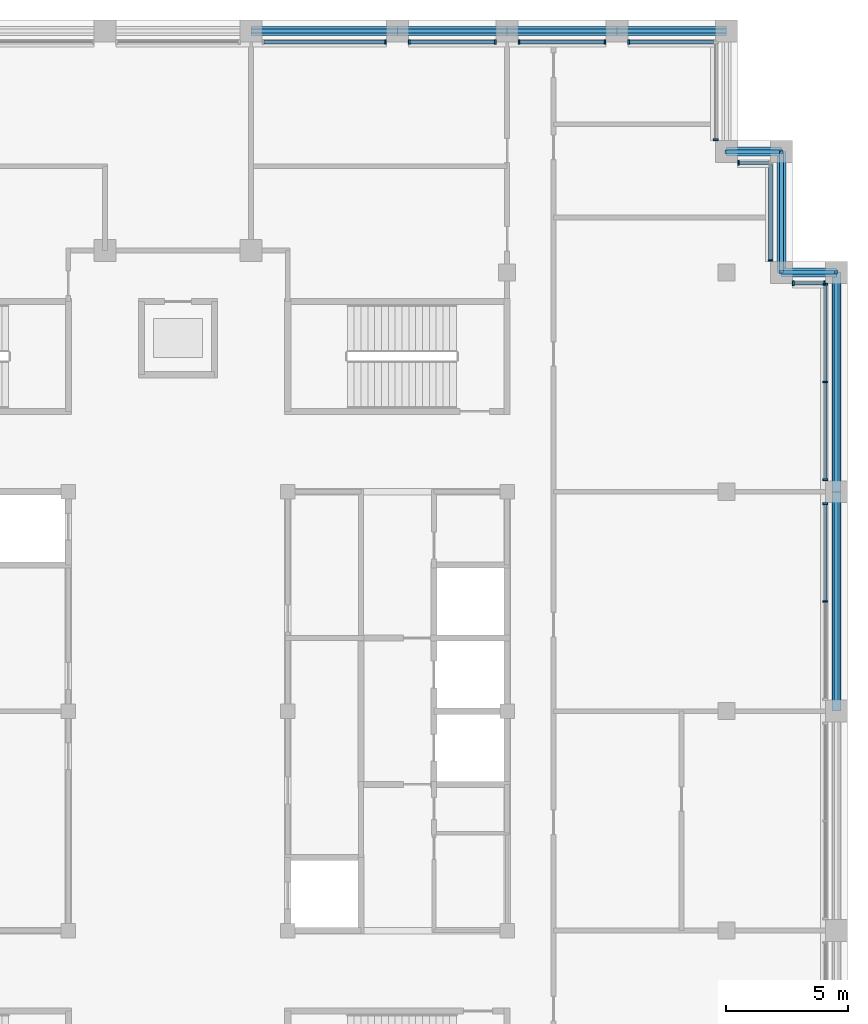
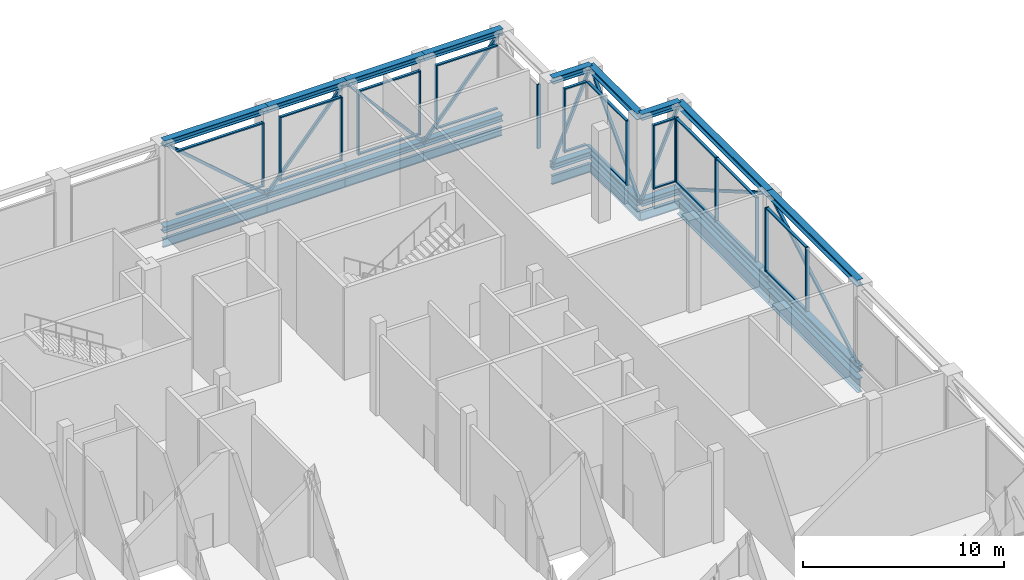
# One storey, part 8 of 17: 63 members, 9 beams, 10 elements without a shape of their own.
"""IFC4 building model written with IfcOpenShell, lengths in metres."""

import ifcopenshell
import ifcopenshell.guid

model = None  # the IFC model being written
_history = None  # IfcOwnerHistory: only IFC2X3 demands one
_inside = {}  # id of a spatial element -> (the spatial element, [elements in it])
_under = {}  # id of a project, library or spatial element -> (it, [spatial elements below it])
_declared = {}  # id of a project -> (the project, [libraries it declares])
_typed = {}  # id of a type object -> (the type object, [elements of that type])
_made_of = {}  # id of a material, layer set ... -> (it, [elements and type objects made of it])


def new_model(schema):
    """Start an empty IFC model of exactly this schema.

    Asked for "IFC4X3", IfcOpenShell would pick the latest addendum, in which some entities
    have other attributes; the version numbers below select the first issue.
    IFC2X3 requires an IfcOwnerHistory on every rooted entity: one is made here for all.
    """
    global model, _history
    if schema == "IFC4X3":
        model = ifcopenshell.file(schema_version=(4, 3, 0, 0))
    else:
        model = ifcopenshell.file(schema=schema)
    _inside.clear()
    _under.clear()
    _declared.clear()
    _typed.clear()
    _made_of.clear()
    _history = None
    if model.schema == "IFC2X3":
        org = make("IfcOrganization", Name="unknown")
        user = make(
            "IfcPersonAndOrganization",
            ThePerson=make("IfcPerson", FamilyName="unknown"),
            TheOrganization=org,
        )
        app = make(
            "IfcApplication",
            ApplicationDeveloper=org,
            Version="unknown",
            ApplicationFullName="unknown",
            ApplicationIdentifier="unknown",
        )
        _history = make(
            "IfcOwnerHistory",
            OwningUser=user,
            OwningApplication=app,
            ChangeAction="ADDED",
            CreationDate=0,
        )
    return model


def make(cls, **values):
    """One entity of the class cls with the attributes given. An attribute that is None is left unset."""
    return model.create_entity(
        cls, **{name: value for name, value in values.items() if value is not None}
    )


def rooted(cls, **values):
    """An entity with a GlobalId (a new one), such as an element, a storey or a relation."""
    return make(cls, GlobalId=ifcopenshell.guid.new(), OwnerHistory=_history, **values)


def si_unit(unit_type, name, prefix=None):
    """IfcSIUnit, for example si_unit("LENGTHUNIT", "METRE", prefix="MILLI")."""
    return make("IfcSIUnit", UnitType=unit_type, Prefix=prefix, Name=name)


def assignment(units):
    """IfcUnitAssignment: the units of a project."""
    return None if units is None else make("IfcUnitAssignment", Units=units)


def point(xyz):
    """IfcCartesianPoint."""
    return None if xyz is None else make("IfcCartesianPoint", Coordinates=xyz)


def direction(xyz):
    """IfcDirection."""
    return None if xyz is None else make("IfcDirection", DirectionRatios=xyz)


def frame(location, z_axis=None, x_axis=None):
    """IfcAxis2Placement3D, a coordinate frame: its origin and axes. An axis left out is left unset."""
    return make(
        "IfcAxis2Placement3D",
        Location=point(location),
        Axis=direction(z_axis),
        RefDirection=direction(x_axis),
    )


def frame_2d(location, x_axis=None):
    """IfcAxis2Placement2D, a coordinate frame in the plane: its origin and x axis."""
    return make(
        "IfcAxis2Placement2D", Location=point(location), RefDirection=direction(x_axis)
    )


def origin():
    """The frame at (0, 0, 0) with its axes left unset."""
    return frame((0.0, 0.0, 0.0))


def origin_2d():
    """The frame at (0, 0) in the plane with its x axis left unset."""
    return frame_2d((0.0, 0.0))


def place(relative_to, where):
    """IfcLocalPlacement: puts the frame where relative to a parent placement (None: the world)."""
    return make(
        "IfcLocalPlacement", PlacementRelTo=relative_to, RelativePlacement=where
    )


def context(
    kind, dimensions, precision=None, world=None, true_north=None, identifier=None
):
    """IfcGeometricRepresentationContext, for example the 3D "Model" context."""
    return make(
        "IfcGeometricRepresentationContext",
        ContextIdentifier=identifier,
        ContextType=kind,
        CoordinateSpaceDimension=dimensions,
        Precision=precision,
        WorldCoordinateSystem=world,
        TrueNorth=true_north,
    )


def subcontext(parent, identifier, kind, view, scale=None):
    """IfcGeometricRepresentationSubContext, for example "Body" below "Model"."""
    return make(
        "IfcGeometricRepresentationSubContext",
        ContextIdentifier=identifier,
        ContextType=kind,
        ParentContext=parent,
        TargetScale=scale,
        TargetView=view,
    )


def project(units=None, contexts=None):
    """IfcProject with its units and contexts."""
    return rooted(
        "IfcProject",
        Name="project",
        RepresentationContexts=contexts,
        UnitsInContext=assignment(units),
    )


def spatial(cls, under=None, at=None, **own):
    """A site, building, storey or space (cls), placed at a placement, below another one or the project."""
    s = rooted(cls, ObjectPlacement=at, **own)
    if under is not None:
        _under.setdefault(under.id(), (under, []))[1].append(s)
    return s


def profile(cls, at=None, kind="AREA", **sizes):
    """A parametric profile (cls). Its sizes go by their IFC names, for example OverallWidth=200.0."""
    return make(cls, ProfileType=kind, Position=at, **sizes)


def rectangle(**sizes):
    """IfcRectangleProfileDef."""
    return profile("IfcRectangleProfileDef", **sizes)


def hollow_rectangle(**sizes):
    """IfcRectangleHollowProfileDef."""
    return profile("IfcRectangleHollowProfileDef", **sizes)


def i_section(**sizes):
    """IfcIShapeProfileDef."""
    return profile("IfcIShapeProfileDef", **sizes)


def extrude(swept, where, along, depth):
    """IfcExtrudedAreaSolid: the profile swept, set in the frame where, extruded along a direction by depth."""
    return make(
        "IfcExtrudedAreaSolid",
        SweptArea=swept,
        Position=where,
        ExtrudedDirection=direction(along),
        Depth=depth,
    )


def shape(context_of_items, identifier, shape_type, items):
    """IfcShapeRepresentation: the items that make up one representation, for example the "Body"."""
    return make(
        "IfcShapeRepresentation",
        ContextOfItems=context_of_items,
        RepresentationIdentifier=identifier,
        RepresentationType=shape_type,
        Items=items,
    )


def material(Name=None, Category=None):
    """IfcMaterial."""
    return make("IfcMaterial", Name=Name, Category=Category)


def layer(
    of_material, thickness, ventilated=None, Name=None, Category=None, Priority=None
):
    """IfcMaterialLayer: one layer of a wall or slab, of a material (None: an air gap)."""
    return make(
        "IfcMaterialLayer",
        Material=of_material,
        LayerThickness=thickness,
        IsVentilated=ventilated,
        Name=Name,
        Category=Category,
        Priority=Priority,
    )


def layer_set(layers, Name=None):
    """IfcMaterialLayerSet."""
    return make("IfcMaterialLayerSet", MaterialLayers=layers, LayerSetName=Name)


def material_profile(
    of_material, cross_section, Name=None, Category=None, Priority=None
):
    """IfcMaterialProfile: a cross section and its material."""
    return make(
        "IfcMaterialProfile",
        Name=Name,
        Material=of_material,
        Profile=cross_section,
        Priority=Priority,
        Category=Category,
    )


def profile_set(profiles, Name=None, composite=None):
    """IfcMaterialProfileSet."""
    return make(
        "IfcMaterialProfileSet",
        Name=Name,
        MaterialProfiles=profiles,
        CompositeProfile=composite,
    )


def made_of(thing, what):
    """Note that an element or type object is made of a material, layer set ...; save() writes the relation."""
    if what is not None:
        _made_of.setdefault(what.id(), (what, []))[1].append(thing)
    return thing


def type_object(cls, material=None, **own):
    """A type object (cls), such as IfcWallType, which elements share."""
    return made_of(rooted(cls, **own), material)


def element(
    cls,
    number,
    at=None,
    inside=None,
    cuts=None,
    type_object=None,
    material=None,
    context=None,
    identifier="Body",
    shape_type=None,
    held_by="IfcProductDefinitionShape",
    body=None,
    shapes=None,
    **own,
):
    """One element of the class cls, such as IfcWall. Its Tag is "e" and its number.

    at: its placement. inside: the storey or other place that contains it. cuts: it is an
    opening in that element (IfcRelVoidsElement). A single representation is given by context,
    identifier, shape_type and body (its items); several are given by shapes. held_by: the class
    of the entity that holds the representations. save() writes the other relations.
    """
    e = rooted(cls, Tag="e%d" % number, ObjectPlacement=at, **own)
    if body is not None:
        shapes = [shape(context, identifier, shape_type, body)]
    if shapes is not None:
        e.Representation = make(held_by, Representations=shapes)
    if inside is not None:
        _inside.setdefault(inside.id(), (inside, []))[1].append(e)
    if cuts is not None:
        rooted(
            "IfcRelVoidsElement", RelatingBuildingElement=cuts, RelatedOpeningElement=e
        )
    if type_object is not None:
        _typed.setdefault(type_object.id(), (type_object, []))[1].append(e)
    return made_of(e, material)


def aggregate(whole, parts):
    """IfcRelAggregates: a whole, such as a stair, and the parts it consists of."""
    return rooted("IfcRelAggregates", RelatingObject=whole, RelatedObjects=parts)


def save(model, path):
    """Write the relations noted so far, then the file.

    IfcRelAggregates (storeys below a building ...), IfcRelContainedInSpatialStructure (elements
    in a storey), IfcRelDefinesByType, IfcRelAssociatesMaterial and IfcRelDeclares: one each for
    every whole, place, type object, material and project.
    """
    for whole, parts in _under.values():
        aggregate(whole, parts)
    for where, things in _inside.values():
        rooted(
            "IfcRelContainedInSpatialStructure",
            RelatedElements=things,
            RelatingStructure=where,
        )
    for kind, things in _typed.values():
        rooted("IfcRelDefinesByType", RelatedObjects=things, RelatingType=kind)
    for what, things in _made_of.values():
        rooted("IfcRelAssociatesMaterial", RelatedObjects=things, RelatingMaterial=what)
    for by, libraries in _declared.values():
        rooted("IfcRelDeclares", RelatingContext=by, RelatedDefinitions=libraries)
    model.write(path)


model = new_model("IFC4")

# Units and contexts
model_context = context("Model", 3, precision=1e-05, world=origin(), true_north=direction((0.0, 1.0)))
body_context = subcontext(model_context, "Body", "Model", "MODEL_VIEW")
ifc_project = project(units=[si_unit("LENGTHUNIT", "METRE"), si_unit("AREAUNIT", "SQUARE_METRE"), si_unit("VOLUMEUNIT", "CUBIC_METRE"), si_unit("PLANEANGLEUNIT", "RADIAN"), si_unit("MASSUNIT", "GRAM", prefix="KILO")], contexts=[model_context])

# Site, building, storey
site_placement = place(None, origin())
site = spatial("IfcSite", under=ifc_project, at=site_placement, CompositionType="ELEMENT")
building_placement = place(site_placement, origin())
building = spatial("IfcBuilding", under=site, at=building_placement, Name="Corbelhall Arena Tower", CompositionType="ELEMENT")
storey_placement = place(building_placement, frame((0.0, 0.0, 350.0)))
storey = spatial("IfcBuildingStorey", under=building, at=storey_placement, Name="L77", CompositionType="ELEMENT", Elevation=350.0)

# Curtain wall, members
ifc_material_1 = material(Name="Aluminium black anodised", Category="aluminium")
ifc_layer = layer(ifc_material_1, 0.199951171875)
ifc_layer_set = layer_set([ifc_layer], Name="EV-CW5 Sky band glazing")
curtain_wall_type = type_object("IfcCurtainWallType", Name="EV-CW5 Sky band glazing", PredefinedType="NOTDEFINED", material=ifc_layer_set)
curtain_wall_1_placement = place(storey_placement, origin())
curtain_wall_1 = element("IfcCurtainWall", 1, at=curtain_wall_1_placement, inside=storey, type_object=curtain_wall_type, Name="Curtain wall CW5", PredefinedType="NOTDEFINED")
ifc_material_profile_1 = material_profile(ifc_material_1, rectangle(XDim=0.199951171875, YDim=0.074951171875, at=origin_2d()))
ifc_profile_set_1 = profile_set([ifc_material_profile_1], Name="Aluminium black anodised")
member_type_1 = type_object("IfcMemberType", Name="EV-CW5-MULLION", PredefinedType="MULLION", material=ifc_profile_set_1)
member_1_placement = place(storey_placement, frame((26.550048828125, 4.5, 1.10009765625), z_axis=(0.0, 0.0, 1.0), x_axis=(-1.0, 0.0, 0.0)))
member_1 = element("IfcMember", 2, at=member_1_placement, type_object=member_type_1, Name="CW5 mullion 2", PredefinedType="MULLION", context=body_context, shape_type="SweptSolid", body=[
    extrude(rectangle(XDim=0.199951171875, YDim=0.074951171875, at=origin_2d()), origin(), (0.0, 0.0, 1.0), 3.8994140625),
])
member_2_placement = place(storey_placement, frame((26.550048828125, 8.512451171875, 1.10009765625), z_axis=(0.0, 0.0, 1.0), x_axis=(-1.0, 0.0, 0.0)))
member_2 = element("IfcMember", 3, at=member_2_placement, type_object=member_type_1, Name="CW5 mullion 3", PredefinedType="MULLION", context=body_context, shape_type="SweptSolid", body=[
    extrude(rectangle(XDim=0.199951171875, YDim=0.074951171875, at=origin_2d()), origin(), (0.0, 0.0, 1.0), 3.8994140625),
])

curtain_wall_2_placement = place(storey_placement, origin())
curtain_wall_2 = element("IfcCurtainWall", 4, at=curtain_wall_2_placement, inside=storey, type_object=curtain_wall_type, Name="Curtain wall CW5", PredefinedType="NOTDEFINED")
member_3_placement = place(storey_placement, frame((26.550048828125, 9.487548828125, 1.10009765625), z_axis=(0.0, 0.0, 1.0), x_axis=(-1.0, 0.0, 0.0)))
member_3 = element("IfcMember", 5, at=member_3_placement, type_object=member_type_1, Name="CW5 mullion 1", PredefinedType="MULLION", context=body_context, shape_type="SweptSolid", body=[
    extrude(rectangle(XDim=0.199951171875, YDim=0.074951171875, at=origin_2d()), origin(), (0.0, 0.0, 1.0), 3.8994140625),
])
member_4_placement = place(storey_placement, frame((26.550048828125, 13.5, 1.10009765625), z_axis=(0.0, 0.0, 1.0), x_axis=(-1.0, 0.0, 0.0)))
member_4 = element("IfcMember", 6, at=member_4_placement, type_object=member_type_1, Name="CW5 mullion 2", PredefinedType="MULLION", context=body_context, shape_type="SweptSolid", body=[
    extrude(rectangle(XDim=0.199951171875, YDim=0.074951171875, at=origin_2d()), origin(), (0.0, 0.0, 1.0), 3.8994140625),
])
member_5_placement = place(storey_placement, frame((26.550048828125, 17.512451171875, 1.10009765625), z_axis=(0.0, 0.0, 1.0), x_axis=(-1.0, 0.0, 0.0)))
member_5 = element("IfcMember", 7, at=member_5_placement, type_object=member_type_1, Name="CW5 mullion 3", PredefinedType="MULLION", context=body_context, shape_type="SweptSolid", body=[
    extrude(rectangle(XDim=0.199951171875, YDim=0.074951171875, at=origin_2d()), origin(), (0.0, 0.0, 1.0), 3.8994140625),
])

curtain_wall_3_placement = place(storey_placement, origin())
curtain_wall_3 = element("IfcCurtainWall", 8, at=curtain_wall_3_placement, inside=storey, type_object=curtain_wall_type, Name="Curtain wall CW5B", PredefinedType="NOTDEFINED")
member_6_placement = place(storey_placement, frame((26.512451171875, 17.550048828125, 1.10009765625), z_axis=(0.0, 0.0, 1.0), x_axis=(0.0, -1.0, 0.0)))
member_6 = element("IfcMember", 9, at=member_6_placement, type_object=member_type_1, Name="CW5B mullion 1", PredefinedType="MULLION", context=body_context, shape_type="SweptSolid", body=[
    extrude(rectangle(XDim=0.199951171875, YDim=0.074951171875, at=origin_2d()), origin(), (0.0, 0.0, 1.0), 3.8994140625),
])
member_7_placement = place(storey_placement, frame((25.237548828125, 17.550048828125, 1.10009765625), z_axis=(0.0, 0.0, 1.0), x_axis=(0.0, -1.0, 0.0)))
member_7 = element("IfcMember", 10, at=member_7_placement, type_object=member_type_1, Name="CW5B mullion 2", PredefinedType="MULLION", context=body_context, shape_type="SweptSolid", body=[
    extrude(rectangle(XDim=0.199951171875, YDim=0.074951171875, at=origin_2d()), origin(), (0.0, 0.0, 1.0), 3.8994140625),
])

# Curtain wall, member
curtain_wall_4_placement = place(storey_placement, origin())
curtain_wall_4 = element("IfcCurtainWall", 11, at=curtain_wall_4_placement, inside=storey, type_object=curtain_wall_type, Name="Curtain wall CW5", PredefinedType="NOTDEFINED")
member_8_placement = place(storey_placement, frame((24.300048828125, 18.487548828125, 1.10009765625), z_axis=(0.0, 0.0, 1.0), x_axis=(-1.0, 0.0, 0.0)))
member_8 = element("IfcMember", 12, at=member_8_placement, type_object=member_type_1, Name="CW5 mullion 1", PredefinedType="MULLION", context=body_context, shape_type="SweptSolid", body=[
    extrude(rectangle(XDim=0.199951171875, YDim=0.074951171875, at=origin_2d()), origin(), (0.0, 0.0, 1.0), 3.8994140625),
])

curtain_wall_5_placement = place(storey_placement, origin())
curtain_wall_5 = element("IfcCurtainWall", 13, at=curtain_wall_5_placement, inside=storey, type_object=curtain_wall_type, Name="Curtain wall CW5B", PredefinedType="NOTDEFINED")
member_9_placement = place(storey_placement, frame((22.987548828125, 22.5, 1.10009765625), z_axis=(0.0, 0.0, 1.0), x_axis=(0.0, -1.0, 0.0)))
member_9 = element("IfcMember", 14, at=member_9_placement, type_object=member_type_1, Name="CW5B mullion 2", PredefinedType="MULLION", context=body_context, shape_type="SweptSolid", body=[
    extrude(rectangle(XDim=0.199951171875, YDim=0.074951171875, at=origin_2d()), origin(), (0.0, 0.0, 1.0), 3.8994140625),
])

curtain_wall_6_placement = place(storey_placement, origin())
curtain_wall_6 = element("IfcCurtainWall", 15, at=curtain_wall_6_placement, inside=storey, type_object=curtain_wall_type, Name="Curtain wall CW5", PredefinedType="NOTDEFINED")
member_10_placement = place(storey_placement, frame((22.050048828125, 23.4375, 1.10009765625), z_axis=(0.0, 0.0, 1.0), x_axis=(-1.0, 0.0, 0.0)))
member_10 = element("IfcMember", 16, at=member_10_placement, type_object=member_type_1, Name="CW5 mullion 1", PredefinedType="MULLION", context=body_context, shape_type="SweptSolid", body=[
    extrude(rectangle(XDim=0.199951171875, YDim=0.074951171875, at=origin_2d()), origin(), (0.0, 0.0, 1.0), 3.8994140625),
])
aggregate(curtain_wall_6, [member_10])

curtain_wall_7_placement = place(storey_placement, origin())
curtain_wall_7 = element("IfcCurtainWall", 17, at=curtain_wall_7_placement, inside=storey, type_object=curtain_wall_type, Name="Curtain wall CW5A", PredefinedType="NOTDEFINED")
member_11_placement = place(storey_placement, frame((18.487548828125, 27.449951171875, 1.10009765625), z_axis=(0.0, 0.0, 1.0), x_axis=(0.0, -1.0, 0.0)))
member_11 = element("IfcMember", 18, at=member_11_placement, type_object=member_type_1, Name="CW5A mullion 2", PredefinedType="MULLION", context=body_context, shape_type="SweptSolid", body=[
    extrude(rectangle(XDim=0.199951171875, YDim=0.074951171875, at=origin_2d()), origin(), (0.0, 0.0, 1.0), 3.8994140625),
])

# Curtain wall, members
curtain_wall_8_placement = place(storey_placement, origin())
curtain_wall_8 = element("IfcCurtainWall", 19, at=curtain_wall_8_placement, inside=storey, type_object=curtain_wall_type, Name="Curtain wall CW5A", PredefinedType="NOTDEFINED")
member_12_placement = place(storey_placement, frame((17.512451171875, 27.449951171875, 1.10009765625), z_axis=(0.0, 0.0, 1.0), x_axis=(0.0, -1.0, 0.0)))
member_12 = element("IfcMember", 20, at=member_12_placement, type_object=member_type_1, Name="CW5A mullion 1", PredefinedType="MULLION", context=body_context, shape_type="SweptSolid", body=[
    extrude(rectangle(XDim=0.199951171875, YDim=0.074951171875, at=origin_2d()), origin(), (0.0, 0.0, 1.0), 3.8994140625),
])
member_13_placement = place(storey_placement, frame((13.987548828125, 27.449951171875, 1.10009765625), z_axis=(0.0, 0.0, 1.0), x_axis=(0.0, -1.0, 0.0)))
member_13 = element("IfcMember", 21, at=member_13_placement, type_object=member_type_1, Name="CW5A mullion 2", PredefinedType="MULLION", context=body_context, shape_type="SweptSolid", body=[
    extrude(rectangle(XDim=0.199951171875, YDim=0.074951171875, at=origin_2d()), origin(), (0.0, 0.0, 1.0), 3.8994140625),
])

curtain_wall_9_placement = place(storey_placement, origin())
curtain_wall_9 = element("IfcCurtainWall", 22, at=curtain_wall_9_placement, inside=storey, type_object=curtain_wall_type, Name="Curtain wall CW5A", PredefinedType="NOTDEFINED")
member_14_placement = place(storey_placement, frame((13.012451171875, 27.449951171875, 1.10009765625), z_axis=(0.0, 0.0, 1.0), x_axis=(0.0, -1.0, 0.0)))
member_14 = element("IfcMember", 23, at=member_14_placement, type_object=member_type_1, Name="CW5A mullion 1", PredefinedType="MULLION", context=body_context, shape_type="SweptSolid", body=[
    extrude(rectangle(XDim=0.199951171875, YDim=0.074951171875, at=origin_2d()), origin(), (0.0, 0.0, 1.0), 3.8994140625),
])
member_15_placement = place(storey_placement, frame((9.487548828125, 27.449951171875, 1.10009765625), z_axis=(0.0, 0.0, 1.0), x_axis=(0.0, -1.0, 0.0)))
member_15 = element("IfcMember", 24, at=member_15_placement, type_object=member_type_1, Name="CW5A mullion 2", PredefinedType="MULLION", context=body_context, shape_type="SweptSolid", body=[
    extrude(rectangle(XDim=0.199951171875, YDim=0.074951171875, at=origin_2d()), origin(), (0.0, 0.0, 1.0), 3.8994140625),
])

# Curtain wall, member
curtain_wall_10_placement = place(storey_placement, origin())
curtain_wall_10 = element("IfcCurtainWall", 25, at=curtain_wall_10_placement, inside=storey, type_object=curtain_wall_type, Name="Curtain wall CW5C", PredefinedType="NOTDEFINED")
member_16_placement = place(storey_placement, frame((8.512451171875, 27.449951171875, 1.10009765625), z_axis=(0.0, 0.0, 1.0), x_axis=(0.0, -1.0, 0.0)))
member_16 = element("IfcMember", 26, at=member_16_placement, type_object=member_type_1, Name="CW5C mullion 1", PredefinedType="MULLION", context=body_context, shape_type="SweptSolid", body=[
    extrude(rectangle(XDim=0.199951171875, YDim=0.074951171875, at=origin_2d()), origin(), (0.0, 0.0, 1.0), 3.8994140625),
])

# Member
ifc_material_profile_2 = material_profile(ifc_material_1, rectangle(XDim=0.14990234375, YDim=0.074951171875, at=origin_2d()))
ifc_profile_set_2 = profile_set([ifc_material_profile_2], Name="Aluminium black anodised")
member_type_2 = type_object("IfcMemberType", Name="EV-CW5-TRANSOM", PredefinedType="USERDEFINED", material=ifc_profile_set_2)
member_17_placement = place(storey_placement, frame((26.550048828125, 4.53759765625, 1.137451171875), z_axis=(0.0, 1.0, 0.0), x_axis=(-1.0, 0.0, 0.0)))
member_17 = element("IfcMember", 27, at=member_17_placement, type_object=member_type_2, Name="CW5 transom 2.1", ObjectType="transom", PredefinedType="USERDEFINED", context=body_context, shape_type="SweptSolid", body=[
    extrude(rectangle(XDim=0.14990234375, YDim=0.074951171875, at=origin_2d()), origin(), (0.0, 0.0, 1.0), 3.9375),
])

member_18_placement = place(storey_placement, frame((26.550048828125, 4.53759765625, 4.962158203125), z_axis=(0.0, 1.0, 0.0), x_axis=(-1.0, 0.0, 0.0)))
member_18 = element("IfcMember", 28, at=member_18_placement, type_object=member_type_2, Name="CW5 transom 2.2", ObjectType="transom", PredefinedType="USERDEFINED", context=body_context, shape_type="SweptSolid", body=[
    extrude(rectangle(XDim=0.14990234375, YDim=0.074951171875, at=origin_2d()), origin(), (0.0, 0.0, 1.0), 3.9375),
])

aggregate(curtain_wall_1, [member_1, member_2, member_17, member_18])

member_19_placement = place(storey_placement, frame((26.550048828125, 9.52490234375, 1.137451171875), z_axis=(0.0, 1.0, 0.0), x_axis=(-1.0, 0.0, 0.0)))
member_19 = element("IfcMember", 29, at=member_19_placement, type_object=member_type_2, Name="CW5 transom 1.1", ObjectType="transom", PredefinedType="USERDEFINED", context=body_context, shape_type="SweptSolid", body=[
    extrude(rectangle(XDim=0.14990234375, YDim=0.074951171875, at=origin_2d()), origin(), (0.0, 0.0, 1.0), 3.9375),
])

member_20_placement = place(storey_placement, frame((26.550048828125, 9.52490234375, 4.962158203125), z_axis=(0.0, 1.0, 0.0), x_axis=(-1.0, 0.0, 0.0)))
member_20 = element("IfcMember", 30, at=member_20_placement, type_object=member_type_2, Name="CW5 transom 1.2", ObjectType="transom", PredefinedType="USERDEFINED", context=body_context, shape_type="SweptSolid", body=[
    extrude(rectangle(XDim=0.14990234375, YDim=0.074951171875, at=origin_2d()), origin(), (0.0, 0.0, 1.0), 3.9375),
])

member_21_placement = place(storey_placement, frame((26.550048828125, 13.53759765625, 1.137451171875), z_axis=(0.0, 1.0, 0.0), x_axis=(-1.0, 0.0, 0.0)))
member_21 = element("IfcMember", 31, at=member_21_placement, type_object=member_type_2, Name="CW5 transom 2.1", ObjectType="transom", PredefinedType="USERDEFINED", context=body_context, shape_type="SweptSolid", body=[
    extrude(rectangle(XDim=0.14990234375, YDim=0.074951171875, at=origin_2d()), origin(), (0.0, 0.0, 1.0), 3.9375),
])

member_22_placement = place(storey_placement, frame((26.550048828125, 13.53759765625, 4.962158203125), z_axis=(0.0, 1.0, 0.0), x_axis=(-1.0, 0.0, 0.0)))
member_22 = element("IfcMember", 32, at=member_22_placement, type_object=member_type_2, Name="CW5 transom 2.2", ObjectType="transom", PredefinedType="USERDEFINED", context=body_context, shape_type="SweptSolid", body=[
    extrude(rectangle(XDim=0.14990234375, YDim=0.074951171875, at=origin_2d()), origin(), (0.0, 0.0, 1.0), 3.9375),
])

aggregate(curtain_wall_2, [member_3, member_4, member_5, member_19, member_20, member_21, member_22])

member_23_placement = place(storey_placement, frame((26.47509765625, 17.550048828125, 1.137451171875), z_axis=(-1.0, 0.0, 0.0), x_axis=(0.0, -1.0, 0.0)))
member_23 = element("IfcMember", 33, at=member_23_placement, type_object=member_type_2, Name="CW5B transom 1.1", ObjectType="transom", PredefinedType="USERDEFINED", context=body_context, shape_type="SweptSolid", body=[
    extrude(rectangle(XDim=0.14990234375, YDim=0.074951171875, at=origin_2d()), origin(), (0.0, 0.0, 1.0), 1.2001953125),
])

member_24_placement = place(storey_placement, frame((26.47509765625, 17.550048828125, 4.962158203125), z_axis=(-1.0, 0.0, 0.0), x_axis=(0.0, -1.0, 0.0)))
member_24 = element("IfcMember", 34, at=member_24_placement, type_object=member_type_2, Name="CW5B transom 1.2", ObjectType="transom", PredefinedType="USERDEFINED", context=body_context, shape_type="SweptSolid", body=[
    extrude(rectangle(XDim=0.14990234375, YDim=0.074951171875, at=origin_2d()), origin(), (0.0, 0.0, 1.0), 1.2001953125),
])

aggregate(curtain_wall_3, [member_6, member_7, member_23, member_24])

member_25_placement = place(storey_placement, frame((24.300048828125, 18.52490234375, 1.137451171875), z_axis=(0.0, 1.0, 0.0), x_axis=(-1.0, 0.0, 0.0)))
member_25 = element("IfcMember", 35, at=member_25_placement, type_object=member_type_2, Name="CW5 transom 1.1", ObjectType="transom", PredefinedType="USERDEFINED", context=body_context, shape_type="SweptSolid", body=[
    extrude(rectangle(XDim=0.14990234375, YDim=0.074951171875, at=origin_2d()), origin(), (0.0, 0.0, 1.0), 3.900146484375),
])

member_26_placement = place(storey_placement, frame((24.300048828125, 18.52490234375, 4.962158203125), z_axis=(0.0, 1.0, 0.0), x_axis=(-1.0, 0.0, 0.0)))
member_26 = element("IfcMember", 36, at=member_26_placement, type_object=member_type_2, Name="CW5 transom 1.2", ObjectType="transom", PredefinedType="USERDEFINED", context=body_context, shape_type="SweptSolid", body=[
    extrude(rectangle(XDim=0.14990234375, YDim=0.074951171875, at=origin_2d()), origin(), (0.0, 0.0, 1.0), 3.900146484375),
])

aggregate(curtain_wall_4, [member_8, member_25, member_26])

member_27_placement = place(storey_placement, frame((24.22509765625, 22.5, 1.137451171875), z_axis=(-1.0, 0.0, 0.0), x_axis=(0.0, -1.0, 0.0)))
member_27 = element("IfcMember", 37, at=member_27_placement, type_object=member_type_2, Name="CW5B transom 1.1", ObjectType="transom", PredefinedType="USERDEFINED", context=body_context, shape_type="SweptSolid", body=[
    extrude(rectangle(XDim=0.14990234375, YDim=0.074951171875, at=origin_2d()), origin(), (0.0, 0.0, 1.0), 1.2001953125),
])

member_28_placement = place(storey_placement, frame((24.22509765625, 22.5, 4.962158203125), z_axis=(-1.0, 0.0, 0.0), x_axis=(0.0, -1.0, 0.0)))
member_28 = element("IfcMember", 38, at=member_28_placement, type_object=member_type_2, Name="CW5B transom 1.2", ObjectType="transom", PredefinedType="USERDEFINED", context=body_context, shape_type="SweptSolid", body=[
    extrude(rectangle(XDim=0.14990234375, YDim=0.074951171875, at=origin_2d()), origin(), (0.0, 0.0, 1.0), 1.2001953125),
])

aggregate(curtain_wall_5, [member_9, member_27, member_28])

member_29_placement = place(storey_placement, frame((21.97509765625, 27.449951171875, 1.137451171875), z_axis=(-1.0, 0.0, 0.0), x_axis=(0.0, -1.0, 0.0)))
member_29 = element("IfcMember", 39, at=member_29_placement, type_object=member_type_2, Name="CW5A transom 1.1", ObjectType="transom", PredefinedType="USERDEFINED", context=body_context, shape_type="SweptSolid", body=[
    extrude(rectangle(XDim=0.14990234375, YDim=0.074951171875, at=origin_2d()), origin(), (0.0, 0.0, 1.0), 3.4501953125),
])

member_30_placement = place(storey_placement, frame((21.97509765625, 27.449951171875, 4.962158203125), z_axis=(-1.0, 0.0, 0.0), x_axis=(0.0, -1.0, 0.0)))
member_30 = element("IfcMember", 40, at=member_30_placement, type_object=member_type_2, Name="CW5A transom 1.2", ObjectType="transom", PredefinedType="USERDEFINED", context=body_context, shape_type="SweptSolid", body=[
    extrude(rectangle(XDim=0.14990234375, YDim=0.074951171875, at=origin_2d()), origin(), (0.0, 0.0, 1.0), 3.4501953125),
])

aggregate(curtain_wall_7, [member_11, member_29, member_30])

member_31_placement = place(storey_placement, frame((17.47509765625, 27.449951171875, 1.137451171875), z_axis=(-1.0, 0.0, 0.0), x_axis=(0.0, -1.0, 0.0)))
member_31 = element("IfcMember", 41, at=member_31_placement, type_object=member_type_2, Name="CW5A transom 1.1", ObjectType="transom", PredefinedType="USERDEFINED", context=body_context, shape_type="SweptSolid", body=[
    extrude(rectangle(XDim=0.14990234375, YDim=0.074951171875, at=origin_2d()), origin(), (0.0, 0.0, 1.0), 3.4501953125),
])

member_32_placement = place(storey_placement, frame((17.47509765625, 27.449951171875, 4.962158203125), z_axis=(-1.0, 0.0, 0.0), x_axis=(0.0, -1.0, 0.0)))
member_32 = element("IfcMember", 42, at=member_32_placement, type_object=member_type_2, Name="CW5A transom 1.2", ObjectType="transom", PredefinedType="USERDEFINED", context=body_context, shape_type="SweptSolid", body=[
    extrude(rectangle(XDim=0.14990234375, YDim=0.074951171875, at=origin_2d()), origin(), (0.0, 0.0, 1.0), 3.4501953125),
])

aggregate(curtain_wall_8, [member_12, member_13, member_31, member_32])

member_33_placement = place(storey_placement, frame((12.97509765625, 27.449951171875, 1.137451171875), z_axis=(-1.0, 0.0, 0.0), x_axis=(0.0, -1.0, 0.0)))
member_33 = element("IfcMember", 43, at=member_33_placement, type_object=member_type_2, Name="CW5A transom 1.1", ObjectType="transom", PredefinedType="USERDEFINED", context=body_context, shape_type="SweptSolid", body=[
    extrude(rectangle(XDim=0.14990234375, YDim=0.074951171875, at=origin_2d()), origin(), (0.0, 0.0, 1.0), 3.4501953125),
])

member_34_placement = place(storey_placement, frame((12.97509765625, 27.449951171875, 4.962158203125), z_axis=(-1.0, 0.0, 0.0), x_axis=(0.0, -1.0, 0.0)))
member_34 = element("IfcMember", 44, at=member_34_placement, type_object=member_type_2, Name="CW5A transom 1.2", ObjectType="transom", PredefinedType="USERDEFINED", context=body_context, shape_type="SweptSolid", body=[
    extrude(rectangle(XDim=0.14990234375, YDim=0.074951171875, at=origin_2d()), origin(), (0.0, 0.0, 1.0), 3.4501953125),
])

aggregate(curtain_wall_9, [member_14, member_15, member_33, member_34])

member_35_placement = place(storey_placement, frame((8.47509765625, 27.449951171875, 1.137451171875), z_axis=(-1.0, 0.0, 0.0), x_axis=(0.0, -1.0, 0.0)))
member_35 = element("IfcMember", 45, at=member_35_placement, type_object=member_type_2, Name="CW5C transom 1.1", ObjectType="transom", PredefinedType="USERDEFINED", context=body_context, shape_type="SweptSolid", body=[
    extrude(rectangle(XDim=0.14990234375, YDim=0.074951171875, at=origin_2d()), origin(), (0.0, 0.0, 1.0), 4.9501953125),
])

member_36_placement = place(storey_placement, frame((8.47509765625, 27.449951171875, 4.962158203125), z_axis=(-1.0, 0.0, 0.0), x_axis=(0.0, -1.0, 0.0)))
member_36 = element("IfcMember", 46, at=member_36_placement, type_object=member_type_2, Name="CW5C transom 1.2", ObjectType="transom", PredefinedType="USERDEFINED", context=body_context, shape_type="SweptSolid", body=[
    extrude(rectangle(XDim=0.14990234375, YDim=0.074951171875, at=origin_2d()), origin(), (0.0, 0.0, 1.0), 4.9501953125),
])

aggregate(curtain_wall_10, [member_16, member_35, member_36])

# Members
ifc_material_2 = material(Name="Steel ASTM A992 Gr50", Category="steel")
ifc_material_profile_3 = material_profile(ifc_material_2, i_section(OverallWidth=0.373291015625, OverallDepth=0.373291015625, WebThickness=0.016357421875, FlangeThickness=0.026123046875, at=origin_2d()))
ifc_profile_set_3 = profile_set([ifc_material_profile_3], Name="Steel ASTM A992 Gr50")
member_type_3 = type_object("IfcMemberType", Name="ST-CHORD-W14x132", PredefinedType="CHORD", material=ifc_profile_set_3)
for number, where, z_axis, x_axis, name in (
    (47, (27.0, 9.0, 0.186767578125), (0.0, -1.0, 0.0), (1.0, 0.0, 0.0), "Truss chord BC 2"),
    (48, (27.0, 9.0, 5.412841796875), (0.0, -1.0, 0.0), (1.0, 0.0, 0.0), "Truss chord TC 2"),
    (49, (27.0, 18.0, 0.186767578125), (0.0, -1.0, 0.0), (1.0, 0.0, 0.0), "Truss chord BC 3"),
    (50, (27.0, 18.0, 5.412841796875), (0.0, -1.0, 0.0), (1.0, 0.0, 0.0), "Truss chord TC 3"),
):
    element("IfcMember", number, at=place(storey_placement, frame(where, z_axis=z_axis, x_axis=x_axis)), inside=storey, type_object=member_type_3, Name=name, PredefinedType="CHORD", context=body_context, shape_type="SweptSolid", body=[
        extrude(i_section(OverallWidth=0.373291015625, OverallDepth=0.373291015625, WebThickness=0.016357421875, FlangeThickness=0.026123046875, at=origin_2d()), origin(), (0.0, 0.0, 1.0), 9.0),
    ])
for number, where, z_axis, x_axis, name in (
    (51, (3.0, 27.89990234375, 0.186767578125), (1.0, 0.0, 0.0), (0.0, 1.0, 0.0), "Truss chord BC 6"),
    (52, (3.0, 27.89990234375, 5.412841796875), (1.0, 0.0, 0.0), (0.0, 1.0, 0.0), "Truss chord TC 6"),
):
    element("IfcMember", number, at=place(storey_placement, frame(where, z_axis=z_axis, x_axis=x_axis)), inside=storey, type_object=member_type_3, Name=name, PredefinedType="CHORD", context=body_context, shape_type="SweptSolid", body=[
        extrude(i_section(OverallWidth=0.373291015625, OverallDepth=0.373291015625, WebThickness=0.016357421875, FlangeThickness=0.026123046875, at=origin_2d()), origin(), (0.0, 0.0, 1.0), 6.0),
    ])
for number, where, z_axis, x_axis, name in (
    (53, (9.0, 27.89990234375, 0.186767578125), (1.0, 0.0, 0.0), (0.0, 1.0, 0.0), "Truss chord BC 7"),
    (54, (9.0, 27.89990234375, 5.412841796875), (1.0, 0.0, 0.0), (0.0, 1.0, 0.0), "Truss chord TC 7"),
    (55, (13.5, 27.89990234375, 0.186767578125), (1.0, 0.0, 0.0), (0.0, 1.0, 0.0), "Truss chord BC 8"),
    (56, (13.5, 27.89990234375, 5.412841796875), (1.0, 0.0, 0.0), (0.0, 1.0, 0.0), "Truss chord TC 8"),
    (57, (18.0, 27.89990234375, 0.186767578125), (1.0, 0.0, 0.0), (0.0, 1.0, 0.0), "Truss chord BC 9"),
    (58, (18.0, 27.89990234375, 5.412841796875), (1.0, 0.0, 0.0), (0.0, 1.0, 0.0), "Truss chord TC 9"),
):
    element("IfcMember", number, at=place(storey_placement, frame(where, z_axis=z_axis, x_axis=x_axis)), inside=storey, type_object=member_type_3, Name=name, PredefinedType="CHORD", context=body_context, shape_type="SweptSolid", body=[
        extrude(i_section(OverallWidth=0.373291015625, OverallDepth=0.373291015625, WebThickness=0.016357421875, FlangeThickness=0.026123046875, at=origin_2d()), origin(), (0.0, 0.0, 1.0), 4.5),
    ])
for number, where, z_axis, x_axis, name in (
    (59, (22.5, 22.949951171875, 0.186767578125), (1.0, 0.0, 0.0), (0.0, 1.0, 0.0), "Truss chord BC 31"),
    (60, (22.5, 22.949951171875, 5.412841796875), (1.0, 0.0, 0.0), (0.0, 1.0, 0.0), "Truss chord TC 31"),
):
    element("IfcMember", number, at=place(storey_placement, frame(where, z_axis=z_axis, x_axis=x_axis)), inside=storey, type_object=member_type_3, Name=name, PredefinedType="CHORD", context=body_context, shape_type="SweptSolid", body=[
        extrude(i_section(OverallWidth=0.373291015625, OverallDepth=0.373291015625, WebThickness=0.016357421875, FlangeThickness=0.026123046875, at=origin_2d()), origin(), (0.0, 0.0, 1.0), 2.25),
    ])
for number, where, z_axis, x_axis, name in (
    (61, (24.75, 22.949951171875, 0.186767578125), (0.0, -1.0, 0.0), (1.0, 0.0, 0.0), "Truss chord BC 32"),
    (62, (24.75, 22.949951171875, 5.412841796875), (0.0, -1.0, 0.0), (1.0, 0.0, 0.0), "Truss chord TC 32"),
):
    element("IfcMember", number, at=place(storey_placement, frame(where, z_axis=z_axis, x_axis=x_axis)), inside=storey, type_object=member_type_3, Name=name, PredefinedType="CHORD", context=body_context, shape_type="SweptSolid", body=[
        extrude(i_section(OverallWidth=0.373291015625, OverallDepth=0.373291015625, WebThickness=0.016357421875, FlangeThickness=0.026123046875, at=origin_2d()), origin(), (0.0, 0.0, 1.0), 4.949951171875),
    ])
for number, where, z_axis, x_axis, name in (
    (63, (24.75, 18.0, 0.186767578125), (1.0, 0.0, 0.0), (0.0, 1.0, 0.0), "Truss chord BC 33"),
    (64, (24.75, 18.0, 5.412841796875), (1.0, 0.0, 0.0), (0.0, 1.0, 0.0), "Truss chord TC 33"),
):
    element("IfcMember", number, at=place(storey_placement, frame(where, z_axis=z_axis, x_axis=x_axis)), inside=storey, type_object=member_type_3, Name=name, PredefinedType="CHORD", context=body_context, shape_type="SweptSolid", body=[
        extrude(i_section(OverallWidth=0.373291015625, OverallDepth=0.373291015625, WebThickness=0.016357421875, FlangeThickness=0.026123046875, at=origin_2d()), origin(), (0.0, 0.0, 1.0), 2.25),
    ])

# Beams
ifc_material_profile_4 = material_profile(ifc_material_2, i_section(OverallWidth=0.16650390625, OverallDepth=0.535888671875, WebThickness=0.01025390625, FlangeThickness=0.0166015625, at=origin_2d()))
ifc_profile_set_4 = profile_set([ifc_material_profile_4], Name="Steel ASTM A992 Gr50")
beam_type_1 = type_object("IfcBeamType", Name="ST-SPANDREL-W21x57", PredefinedType="SPANDREL", material=ifc_profile_set_4)
beam_1_placement = place(storey_placement, frame((3.0, 27.89990234375, -0.677978515625), z_axis=(1.0, 0.0, 0.0), x_axis=(0.0, 1.0, 0.0)))
element("IfcBeam", 65, at=beam_1_placement, inside=storey, type_object=beam_type_1, Name="Beam SP 6", PredefinedType="SPANDREL", context=body_context, shape_type="SweptSolid", body=[
    extrude(i_section(OverallWidth=0.16650390625, OverallDepth=0.535888671875, WebThickness=0.01025390625, FlangeThickness=0.0166015625, at=origin_2d()), origin(), (0.0, 0.0, 1.0), 6.0),
])
for number, where, z_axis, x_axis, name in (
    (66, (9.0, 27.89990234375, -0.677978515625), (1.0, 0.0, 0.0), (0.0, 1.0, 0.0), "Beam SP 7"),
    (67, (13.5, 27.89990234375, -0.677978515625), (1.0, 0.0, 0.0), (0.0, 1.0, 0.0), "Beam SP 8"),
    (68, (18.0, 27.89990234375, -0.677978515625), (1.0, 0.0, 0.0), (0.0, 1.0, 0.0), "Beam SP 9"),
):
    element("IfcBeam", number, at=place(storey_placement, frame(where, z_axis=z_axis, x_axis=x_axis)), inside=storey, type_object=beam_type_1, Name=name, PredefinedType="SPANDREL", context=body_context, shape_type="SweptSolid", body=[
        extrude(i_section(OverallWidth=0.16650390625, OverallDepth=0.535888671875, WebThickness=0.01025390625, FlangeThickness=0.0166015625, at=origin_2d()), origin(), (0.0, 0.0, 1.0), 4.5),
    ])
beam_2_placement = place(storey_placement, frame((22.5, 22.949951171875, -0.677978515625), z_axis=(1.0, 0.0, 0.0), x_axis=(0.0, 1.0, 0.0)))
element("IfcBeam", 69, at=beam_2_placement, inside=storey, type_object=beam_type_1, Name="Beam SP 31", PredefinedType="SPANDREL", context=body_context, shape_type="SweptSolid", body=[
    extrude(i_section(OverallWidth=0.16650390625, OverallDepth=0.535888671875, WebThickness=0.01025390625, FlangeThickness=0.0166015625, at=origin_2d()), origin(), (0.0, 0.0, 1.0), 2.25),
])
beam_3_placement = place(storey_placement, frame((24.75, 22.949951171875, -0.677978515625), z_axis=(0.0, -1.0, 0.0), x_axis=(1.0, 0.0, 0.0)))
element("IfcBeam", 70, at=beam_3_placement, inside=storey, type_object=beam_type_1, Name="Beam SP 32", PredefinedType="SPANDREL", context=body_context, shape_type="SweptSolid", body=[
    extrude(i_section(OverallWidth=0.16650390625, OverallDepth=0.535888671875, WebThickness=0.01025390625, FlangeThickness=0.0166015625, at=origin_2d()), origin(), (0.0, 0.0, 1.0), 4.949951171875),
])
beam_4_placement = place(storey_placement, frame((24.75, 18.0, -0.677978515625), z_axis=(1.0, 0.0, 0.0), x_axis=(0.0, 1.0, 0.0)))
element("IfcBeam", 71, at=beam_4_placement, inside=storey, type_object=beam_type_1, Name="Beam SP 33", PredefinedType="SPANDREL", context=body_context, shape_type="SweptSolid", body=[
    extrude(i_section(OverallWidth=0.16650390625, OverallDepth=0.535888671875, WebThickness=0.01025390625, FlangeThickness=0.0166015625, at=origin_2d()), origin(), (0.0, 0.0, 1.0), 2.25),
])
ifc_material_profile_5 = material_profile(ifc_material_2, i_section(OverallWidth=0.2919921875, OverallDepth=0.845703125, WebThickness=0.015380859375, FlangeThickness=0.0244140625, at=origin_2d()))
ifc_profile_set_5 = profile_set([ifc_material_profile_5], Name="Steel ASTM A992 Gr50")
beam_type_2 = type_object("IfcBeamType", Name="ST-SPANDREL-W33x141", PredefinedType="SPANDREL", material=ifc_profile_set_5)
for number, where, z_axis, x_axis, name in (
    (72, (27.0, 9.0, -0.8330078125), (0.0, -1.0, 0.0), (1.0, 0.0, 0.0), "Beam SP 2"),
    (73, (27.0, 18.0, -0.8330078125), (0.0, -1.0, 0.0), (1.0, 0.0, 0.0), "Beam SP 3"),
):
    element("IfcBeam", number, at=place(storey_placement, frame(where, z_axis=z_axis, x_axis=x_axis)), inside=storey, type_object=beam_type_2, Name=name, PredefinedType="SPANDREL", context=body_context, shape_type="SweptSolid", body=[
        extrude(i_section(OverallWidth=0.2919921875, OverallDepth=0.845703125, WebThickness=0.015380859375, FlangeThickness=0.0244140625, at=origin_2d()), origin(), (0.0, 0.0, 1.0), 9.0),
    ])

# Members
ifc_material_3 = material(Name="Steel ASTM A500 Gr C", Category="steel")
ifc_material_profile_6 = material_profile(ifc_material_3, hollow_rectangle(XDim=0.15234375, YDim=0.15234375, WallThickness=0.0087890625, at=origin_2d()))
ifc_profile_set_6 = profile_set([ifc_material_profile_6], Name="Steel ASTM A500 Gr C")
member_type_4 = type_object("IfcMemberType", Name="ST-STRUT-HSS6x6x3/8", PredefinedType="STRUT", material=ifc_profile_set_6)
for number, where, z_axis, x_axis, name in (
    (74, (27.0, 0.0, 0.186767578125), (0.0, 0.864777773896, 0.50215475879), (-1.0, 0.0, 0.0), "Truss diagonal 2"),
    (75, (27.0, 18.0, 0.186767578125), (0.0, -0.864777773896, 0.50215475879), (1.0, 0.0, 0.0), "Truss diagonal 3"),
):
    element("IfcMember", number, at=place(storey_placement, frame(where, z_axis=z_axis, x_axis=x_axis)), inside=storey, type_object=member_type_4, Name=name, PredefinedType="STRUT", context=body_context, shape_type="SweptSolid", body=[
        extrude(hollow_rectangle(XDim=0.15234375, YDim=0.15234375, WallThickness=0.0087890625, at=origin_2d()), origin(), (0.0, 0.0, 1.0), 10.4072265625),
    ])
member_37_placement = place(storey_placement, frame((9.0, 27.89990234375, 0.186767578125), z_axis=(-0.754064928794, 0.0, 0.656799880605), x_axis=(0.0, -1.0, 0.0)))
element("IfcMember", 76, at=member_37_placement, inside=storey, type_object=member_type_4, Name="Truss diagonal 6", PredefinedType="STRUT", context=body_context, shape_type="SweptSolid", body=[
    extrude(hollow_rectangle(XDim=0.15234375, YDim=0.15234375, WallThickness=0.0087890625, at=origin_2d()), origin(), (0.0, 0.0, 1.0), 7.956787109375),
])
for number, where, z_axis, x_axis, name in (
    (77, (9.0, 27.89990234375, 0.186767578125), (0.65250393695, 0.0, 0.757785333894), (0.0, 1.0, 0.0), "Truss diagonal 7"),
    (78, (18.0, 27.89990234375, 0.186767578125), (-0.65250393695, 0.0, 0.757785333894), (0.0, -1.0, 0.0), "Truss diagonal 8"),
    (79, (18.0, 27.89990234375, 0.186767578125), (0.65250393695, 0.0, 0.757785333894), (0.0, 1.0, 0.0), "Truss diagonal 9"),
):
    element("IfcMember", number, at=place(storey_placement, frame(where, z_axis=z_axis, x_axis=x_axis)), inside=storey, type_object=member_type_4, Name=name, PredefinedType="STRUT", context=body_context, shape_type="SweptSolid", body=[
        extrude(hollow_rectangle(XDim=0.15234375, YDim=0.15234375, WallThickness=0.0087890625, at=origin_2d()), origin(), (0.0, 0.0, 1.0), 6.896484375),
    ])
member_38_placement = place(storey_placement, frame((22.5, 22.949951171875, 0.186767578125), z_axis=(0.395441256722, 0.0, 0.918491269682), x_axis=(0.0, 1.0, 0.0)))
element("IfcMember", 80, at=member_38_placement, inside=storey, type_object=member_type_4, Name="Truss diagonal 31", PredefinedType="STRUT", context=body_context, shape_type="SweptSolid", body=[
    extrude(hollow_rectangle(XDim=0.15234375, YDim=0.15234375, WallThickness=0.0087890625, at=origin_2d()), origin(), (0.0, 0.0, 1.0), 5.68994140625),
])
member_39_placement = place(storey_placement, frame((24.75, 18.0, 0.186767578125), z_axis=(0.0, 0.687666560631, 0.72602665336), x_axis=(-1.0, 0.0, 0.0)))
element("IfcMember", 81, at=member_39_placement, inside=storey, type_object=member_type_4, Name="Truss diagonal 32", PredefinedType="STRUT", context=body_context, shape_type="SweptSolid", body=[
    extrude(hollow_rectangle(XDim=0.15234375, YDim=0.15234375, WallThickness=0.0087890625, at=origin_2d()), origin(), (0.0, 0.0, 1.0), 7.1982421875),
])
member_40_placement = place(storey_placement, frame((24.75, 18.0, 0.186767578125), z_axis=(0.395441256722, 0.0, 0.918491269682), x_axis=(0.0, 1.0, 0.0)))
element("IfcMember", 82, at=member_40_placement, inside=storey, type_object=member_type_4, Name="Truss diagonal 33", PredefinedType="STRUT", context=body_context, shape_type="SweptSolid", body=[
    extrude(hollow_rectangle(XDim=0.15234375, YDim=0.15234375, WallThickness=0.0087890625, at=origin_2d()), origin(), (0.0, 0.0, 1.0), 5.68994140625),
])

save(model, "model.ifc")
